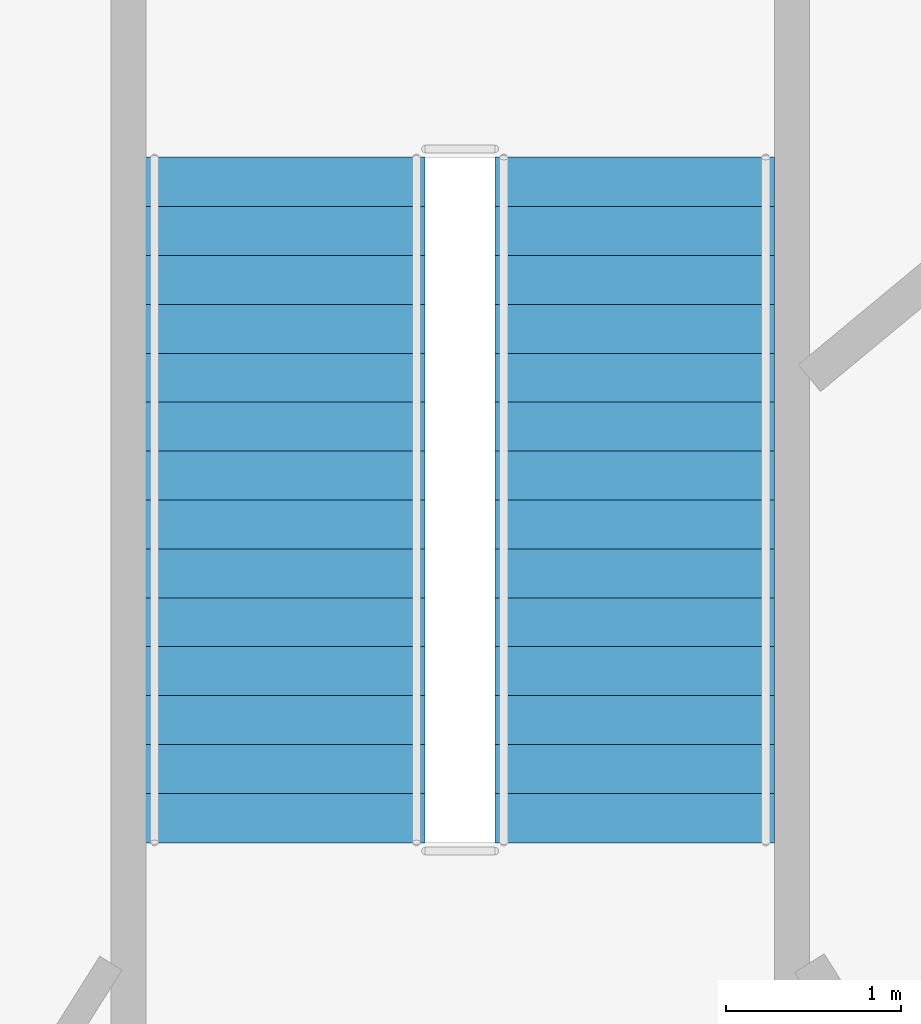
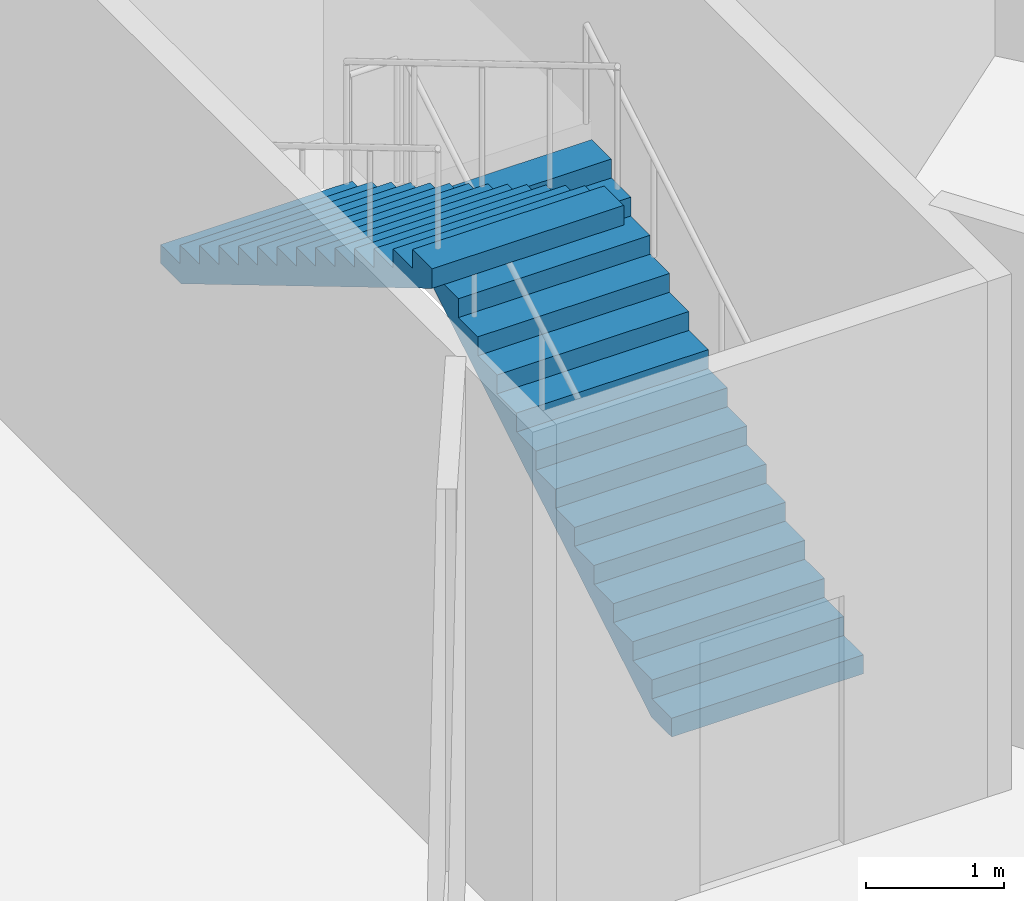
# One storey, part 9 of 16: 2 stair flights, 1 element without a shape of its own.
"""IFC4 building model written with IfcOpenShell, lengths in metres."""

import ifcopenshell
import ifcopenshell.guid

model = None  # the IFC model being written
_history = None  # IfcOwnerHistory: only IFC2X3 demands one
_inside = {}  # id of a spatial element -> (the spatial element, [elements in it])
_under = {}  # id of a project, library or spatial element -> (it, [spatial elements below it])
_declared = {}  # id of a project -> (the project, [libraries it declares])
_typed = {}  # id of a type object -> (the type object, [elements of that type])
_made_of = {}  # id of a material, layer set ... -> (it, [elements and type objects made of it])


def new_model(schema):
    """Start an empty IFC model of exactly this schema.

    Asked for "IFC4X3", IfcOpenShell would pick the latest addendum, in which some entities
    have other attributes; the version numbers below select the first issue.
    IFC2X3 requires an IfcOwnerHistory on every rooted entity: one is made here for all.
    """
    global model, _history
    if schema == "IFC4X3":
        model = ifcopenshell.file(schema_version=(4, 3, 0, 0))
    else:
        model = ifcopenshell.file(schema=schema)
    _inside.clear()
    _under.clear()
    _declared.clear()
    _typed.clear()
    _made_of.clear()
    _history = None
    if model.schema == "IFC2X3":
        org = make("IfcOrganization", Name="unknown")
        user = make(
            "IfcPersonAndOrganization",
            ThePerson=make("IfcPerson", FamilyName="unknown"),
            TheOrganization=org,
        )
        app = make(
            "IfcApplication",
            ApplicationDeveloper=org,
            Version="unknown",
            ApplicationFullName="unknown",
            ApplicationIdentifier="unknown",
        )
        _history = make(
            "IfcOwnerHistory",
            OwningUser=user,
            OwningApplication=app,
            ChangeAction="ADDED",
            CreationDate=0,
        )
    return model


def make(cls, **values):
    """One entity of the class cls with the attributes given. An attribute that is None is left unset."""
    return model.create_entity(
        cls, **{name: value for name, value in values.items() if value is not None}
    )


def rooted(cls, **values):
    """An entity with a GlobalId (a new one), such as an element, a storey or a relation."""
    return make(cls, GlobalId=ifcopenshell.guid.new(), OwnerHistory=_history, **values)


def si_unit(unit_type, name, prefix=None):
    """IfcSIUnit, for example si_unit("LENGTHUNIT", "METRE", prefix="MILLI")."""
    return make("IfcSIUnit", UnitType=unit_type, Prefix=prefix, Name=name)


def assignment(units):
    """IfcUnitAssignment: the units of a project."""
    return None if units is None else make("IfcUnitAssignment", Units=units)


def point(xyz):
    """IfcCartesianPoint."""
    return None if xyz is None else make("IfcCartesianPoint", Coordinates=xyz)


def direction(xyz):
    """IfcDirection."""
    return None if xyz is None else make("IfcDirection", DirectionRatios=xyz)


def frame(location, z_axis=None, x_axis=None):
    """IfcAxis2Placement3D, a coordinate frame: its origin and axes. An axis left out is left unset."""
    return make(
        "IfcAxis2Placement3D",
        Location=point(location),
        Axis=direction(z_axis),
        RefDirection=direction(x_axis),
    )


def origin():
    """The frame at (0, 0, 0) with its axes left unset."""
    return frame((0.0, 0.0, 0.0))


def place(relative_to, where):
    """IfcLocalPlacement: puts the frame where relative to a parent placement (None: the world)."""
    return make(
        "IfcLocalPlacement", PlacementRelTo=relative_to, RelativePlacement=where
    )


def context(
    kind, dimensions, precision=None, world=None, true_north=None, identifier=None
):
    """IfcGeometricRepresentationContext, for example the 3D "Model" context."""
    return make(
        "IfcGeometricRepresentationContext",
        ContextIdentifier=identifier,
        ContextType=kind,
        CoordinateSpaceDimension=dimensions,
        Precision=precision,
        WorldCoordinateSystem=world,
        TrueNorth=true_north,
    )


def subcontext(parent, identifier, kind, view, scale=None):
    """IfcGeometricRepresentationSubContext, for example "Body" below "Model"."""
    return make(
        "IfcGeometricRepresentationSubContext",
        ContextIdentifier=identifier,
        ContextType=kind,
        ParentContext=parent,
        TargetScale=scale,
        TargetView=view,
    )


def project(units=None, contexts=None):
    """IfcProject with its units and contexts."""
    return rooted(
        "IfcProject",
        Name="project",
        RepresentationContexts=contexts,
        UnitsInContext=assignment(units),
    )


def spatial(cls, under=None, at=None, **own):
    """A site, building, storey or space (cls), placed at a placement, below another one or the project."""
    s = rooted(cls, ObjectPlacement=at, **own)
    if under is not None:
        _under.setdefault(under.id(), (under, []))[1].append(s)
    return s


def polyline(points):
    """IfcPolyline through the points."""
    return make("IfcPolyline", Points=[point(p) for p in points])


def outline(outer, holes=None, kind="AREA"):
    """IfcArbitraryClosedProfileDef: a profile drawn as a closed curve; with holes, ...WithVoids."""
    if holes is None:
        return make("IfcArbitraryClosedProfileDef", ProfileType=kind, OuterCurve=outer)
    return make(
        "IfcArbitraryProfileDefWithVoids",
        ProfileType=kind,
        OuterCurve=outer,
        InnerCurves=holes,
    )


def extrude(swept, where, along, depth):
    """IfcExtrudedAreaSolid: the profile swept, set in the frame where, extruded along a direction by depth."""
    return make(
        "IfcExtrudedAreaSolid",
        SweptArea=swept,
        Position=where,
        ExtrudedDirection=direction(along),
        Depth=depth,
    )


def shape(context_of_items, identifier, shape_type, items):
    """IfcShapeRepresentation: the items that make up one representation, for example the "Body"."""
    return make(
        "IfcShapeRepresentation",
        ContextOfItems=context_of_items,
        RepresentationIdentifier=identifier,
        RepresentationType=shape_type,
        Items=items,
    )


def material(Name=None, Category=None):
    """IfcMaterial."""
    return make("IfcMaterial", Name=Name, Category=Category)


def made_of(thing, what):
    """Note that an element or type object is made of a material, layer set ...; save() writes the relation."""
    if what is not None:
        _made_of.setdefault(what.id(), (what, []))[1].append(thing)
    return thing


def type_object(cls, material=None, **own):
    """A type object (cls), such as IfcWallType, which elements share."""
    return made_of(rooted(cls, **own), material)


def element(
    cls,
    number,
    at=None,
    inside=None,
    cuts=None,
    type_object=None,
    material=None,
    context=None,
    identifier="Body",
    shape_type=None,
    held_by="IfcProductDefinitionShape",
    body=None,
    shapes=None,
    **own,
):
    """One element of the class cls, such as IfcWall. Its Tag is "e" and its number.

    at: its placement. inside: the storey or other place that contains it. cuts: it is an
    opening in that element (IfcRelVoidsElement). A single representation is given by context,
    identifier, shape_type and body (its items); several are given by shapes. held_by: the class
    of the entity that holds the representations. save() writes the other relations.
    """
    e = rooted(cls, Tag="e%d" % number, ObjectPlacement=at, **own)
    if body is not None:
        shapes = [shape(context, identifier, shape_type, body)]
    if shapes is not None:
        e.Representation = make(held_by, Representations=shapes)
    if inside is not None:
        _inside.setdefault(inside.id(), (inside, []))[1].append(e)
    if cuts is not None:
        rooted(
            "IfcRelVoidsElement", RelatingBuildingElement=cuts, RelatedOpeningElement=e
        )
    if type_object is not None:
        _typed.setdefault(type_object.id(), (type_object, []))[1].append(e)
    return made_of(e, material)


def aggregate(whole, parts):
    """IfcRelAggregates: a whole, such as a stair, and the parts it consists of."""
    return rooted("IfcRelAggregates", RelatingObject=whole, RelatedObjects=parts)


def save(model, path):
    """Write the relations noted so far, then the file.

    IfcRelAggregates (storeys below a building ...), IfcRelContainedInSpatialStructure (elements
    in a storey), IfcRelDefinesByType, IfcRelAssociatesMaterial and IfcRelDeclares: one each for
    every whole, place, type object, material and project.
    """
    for whole, parts in _under.values():
        aggregate(whole, parts)
    for where, things in _inside.values():
        rooted(
            "IfcRelContainedInSpatialStructure",
            RelatedElements=things,
            RelatingStructure=where,
        )
    for kind, things in _typed.values():
        rooted("IfcRelDefinesByType", RelatedObjects=things, RelatingType=kind)
    for what, things in _made_of.values():
        rooted("IfcRelAssociatesMaterial", RelatedObjects=things, RelatingMaterial=what)
    for by, libraries in _declared.values():
        rooted("IfcRelDeclares", RelatingContext=by, RelatedDefinitions=libraries)
    model.write(path)


model = new_model("IFC4")

# Units and contexts
model_context = context("Model", 3, precision=1e-05, world=origin(), true_north=direction((0.0, 1.0)))
body_context = subcontext(model_context, "Body", "Model", "MODEL_VIEW")
ifc_project = project(units=[si_unit("LENGTHUNIT", "METRE"), si_unit("AREAUNIT", "SQUARE_METRE"), si_unit("VOLUMEUNIT", "CUBIC_METRE"), si_unit("PLANEANGLEUNIT", "RADIAN"), si_unit("MASSUNIT", "GRAM", prefix="KILO")], contexts=[model_context])

# Site, building, storey
site_placement = place(None, origin())
site = spatial("IfcSite", under=ifc_project, at=site_placement, CompositionType="ELEMENT")
building_placement = place(site_placement, origin())
building = spatial("IfcBuilding", under=site, at=building_placement, Name="Entoto Arch Interchange Tower", CompositionType="ELEMENT")
storey_placement = place(building_placement, frame((0.0, 0.0, 15.0)))
storey = spatial("IfcBuildingStorey", under=building, at=storey_placement, Name="L02", CompositionType="ELEMENT", Elevation=15.0)

# Stair, stair flights
ifc_material = material(Name="Concrete C40/50", Category="concrete")
stair_type = type_object("IfcStairType", Name="PODIUM EXIT STAIR RC 1600", PredefinedType="HALF_TURN_STAIR", material=ifc_material)
stair_placement = place(storey_placement, origin())
stair = element("IfcStair", 1, at=stair_placement, inside=storey, type_object=stair_type, Name="L02 Podium exit stair north", PredefinedType="HALF_TURN_STAIR")
stair_flight_type = type_object("IfcStairFlightType", Name="PODIUM EXIT STAIR FLIGHT RC", PredefinedType="STRAIGHT", material=ifc_material)
stair_flight_1_placement = place(storey_placement, frame((1.0, 35.10009765625, 0.0), z_axis=(0.0, 0.0, 1.0), x_axis=(0.0, 1.0, 0.0)))
stair_flight_1 = element("IfcStairFlight", 2, at=stair_flight_1_placement, type_object=stair_flight_type, Name="PST-N flight 1", NumberOfRisers=15, NumberOfTreads=14, PredefinedType="STRAIGHT", RiserHeight=0.166666667, TreadLength=0.28, context=body_context, shape_type="SweptSolid", body=[
    extrude(outline(polyline([(-0.0029296875, 0.0), (-0.0029296875, 0.166748046875), (0.280029296875, 0.166748046875), (0.280029296875, 0.333251953125), (0.56005859375, 0.333251953125), (0.56005859375, 0.5), (0.840087890625, 0.5), (0.840087890625, 0.666748046875), (1.1201171875, 0.666748046875), (1.1201171875, 0.833251953125), (1.39990234375, 0.833251953125), (1.39990234375, 1.0), (1.679931640625, 1.0), (1.679931640625, 1.166748046875), (1.9599609375, 1.166748046875), (1.9599609375, 1.333251953125), (2.239990234375, 1.333251953125), (2.239990234375, 1.5), (2.52001953125, 1.5), (2.52001953125, 1.666748046875), (2.800048828125, 1.666748046875), (2.800048828125, 1.833251953125), (3.080078125, 1.833251953125), (3.080078125, 2.0), (3.360107421875, 2.0), (3.360107421875, 2.166748046875), (3.639892578125, 2.166748046875), (3.639892578125, 2.333251953125), (3.919921875, 2.333251953125), (3.923095703125, 2.333251953125), (3.923095703125, 2.16064453125), (0.29296875, 0.0), (-0.0029296875, 0.0)])), frame((0.0, 0.800048828125, 0.0), z_axis=(0.0, -1.0, 0.0), x_axis=(1.0, 0.0, 0.0)), (0.0, 0.0, 1.0), 1.60009765625),
])
stair_flight_2_placement = place(storey_placement, frame((-1.0, 39.02001953125, 2.5), z_axis=(0.0, 0.0, 1.0), x_axis=(0.0, -1.0, 0.0)))
stair_flight_2 = element("IfcStairFlight", 3, at=stair_flight_2_placement, type_object=stair_flight_type, Name="PST-N flight 2", NumberOfRisers=15, NumberOfTreads=14, PredefinedType="STRAIGHT", RiserHeight=0.166666667, TreadLength=0.28, context=body_context, shape_type="SweptSolid", body=[
    extrude(outline(polyline([(-0.0029296875, 0.0), (-0.0029296875, 0.166748046875), (0.280029296875, 0.166748046875), (0.280029296875, 0.333251953125), (0.56005859375, 0.333251953125), (0.56005859375, 0.5), (0.840087890625, 0.5), (0.840087890625, 0.666748046875), (1.1201171875, 0.666748046875), (1.1201171875, 0.833251953125), (1.39990234375, 0.833251953125), (1.39990234375, 1.0), (1.679931640625, 1.0), (1.679931640625, 1.166748046875), (1.9599609375, 1.166748046875), (1.9599609375, 1.333251953125), (2.239990234375, 1.333251953125), (2.239990234375, 1.5), (2.52001953125, 1.5), (2.52001953125, 1.666748046875), (2.800048828125, 1.666748046875), (2.800048828125, 1.833251953125), (3.080078125, 1.833251953125), (3.080078125, 2.0), (3.360107421875, 2.0), (3.360107421875, 2.166748046875), (3.639892578125, 2.166748046875), (3.639892578125, 2.333251953125), (3.919921875, 2.333251953125), (3.923095703125, 2.333251953125), (3.923095703125, 2.16064453125), (0.29296875, 0.0), (-0.0029296875, 0.0)])), frame((0.0, 0.800048828125, 0.0), z_axis=(0.0, -1.0, 0.0), x_axis=(1.0, 0.0, 0.0)), (0.0, 0.0, 1.0), 1.60009765625),
])
aggregate(stair, [stair_flight_1, stair_flight_2])

save(model, "model.ifc")
